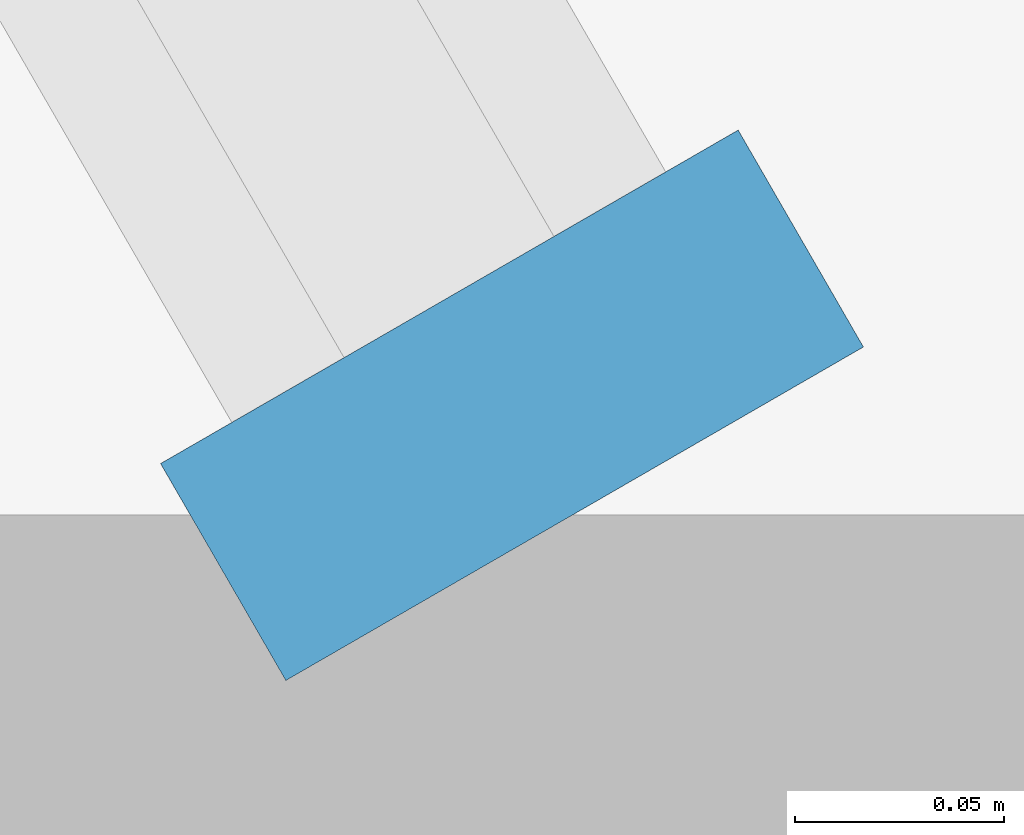
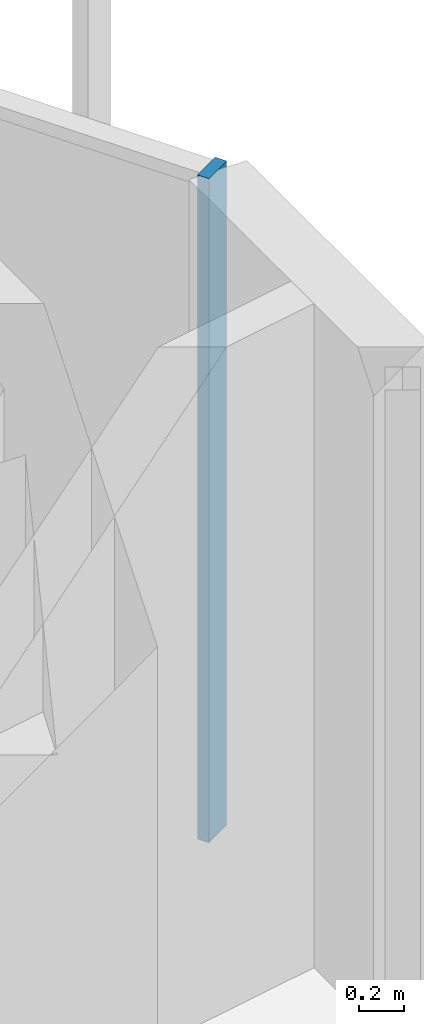
# One storey, part 115 of 127: 1 member, 1 element without a shape of its own.
"""IFC4 building model written with IfcOpenShell, lengths in metres."""

from ifc_helpers import new_model, si_unit, direction, frame, origin, origin_2d, place, context, subcontext, project, spatial, rectangle, extrude, material, material_profile, profile_set, type_object, element, aggregate, save


model = new_model("IFC4")

# Units and contexts
model_context = context("Model", 3, precision=1e-05, world=origin(), true_north=direction((0.0, 1.0)))
body_context = subcontext(model_context, "Body", "Model", "MODEL_VIEW")
ifc_project = project(units=[si_unit("LENGTHUNIT", "METRE"), si_unit("AREAUNIT", "SQUARE_METRE"), si_unit("VOLUMEUNIT", "CUBIC_METRE"), si_unit("PLANEANGLEUNIT", "RADIAN"), si_unit("MASSUNIT", "GRAM", prefix="KILO")], contexts=[model_context])

# Site, building, storey
site_placement = place(None, origin())
site = spatial("IfcSite", under=ifc_project, at=site_placement, CompositionType="ELEMENT")
building_placement = place(site_placement, origin())
building = spatial("IfcBuilding", under=site, at=building_placement, Name="Sandreach Pilgrim Tower", CompositionType="ELEMENT")
storey_placement = place(building_placement, frame((0.0, 0.0, 257.0)))
storey = spatial("IfcBuildingStorey", under=building, at=storey_placement, Name="L64", CompositionType="ELEMENT", Elevation=257.0)

# Curtain wall, member
ifc_material_1 = material(Name="Aluminium framed curtain wall", Category="aluminium")
curtain_wall_type = type_object("IfcCurtainWallType", Name="Suite tower curtain wall", PredefinedType="NOTDEFINED", material=ifc_material_1)
curtain_wall_placement = place(storey_placement, origin())
curtain_wall = element("IfcCurtainWall", 1, at=curtain_wall_placement, inside=storey, type_object=curtain_wall_type, Name="CW-4 L64 NE", PredefinedType="NOTDEFINED")
ifc_material_2 = material(Name="Aluminium extrusion", Category="aluminium")
ifc_material_profile = material_profile(ifc_material_2, rectangle(XDim=0.06005859375, YDim=0.159912109375, at=origin_2d()), Name="CW-4M 60X160")
ifc_profile_set = profile_set([ifc_material_profile], Name="Aluminium extrusion")
member_type = type_object("IfcMemberType", Name="CW-4 mullion", PredefinedType="MULLION", material=ifc_profile_set)
member_placement = place(storey_placement, frame((25.304443359375, 5.8876953125, 0.0), z_axis=(0.0, 0.0, 1.0), x_axis=(0.5, -0.866025403784, 0.0)))
member = element("IfcMember", 2, at=member_placement, type_object=member_type, Name="CW-4 mullion 5", PredefinedType="MULLION", context=body_context, shape_type="SweptSolid", body=[
    extrude(rectangle(XDim=0.06005859375, YDim=0.159912109375, at=origin_2d()), origin(), (0.0, 0.0, 1.0), 3.639892578125),
])
aggregate(curtain_wall, [member])

save(model, "model.ifc")
